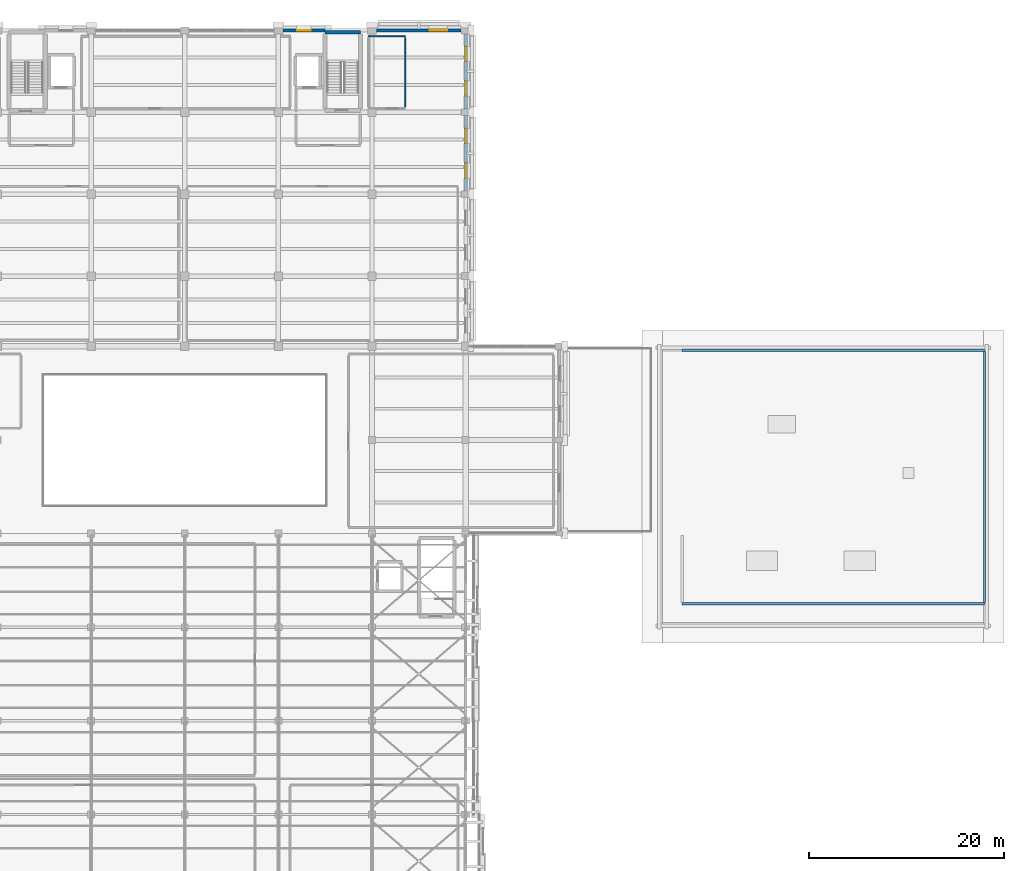
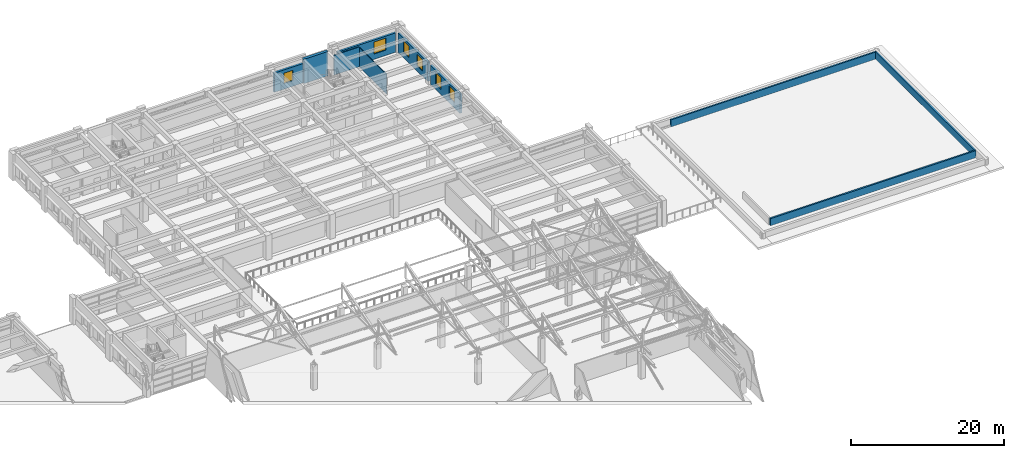
# One storey, part 61 of 71: 10 walls, 6 windows, 6 openings.
"""IFC4 building model written with IfcOpenShell, lengths in metres."""

from ifc_helpers import new_model, si_unit, direction, frame, frame_2d, origin, place, context, subcontext, project, spatial, rectangle, extrude, material, layer, layer_set, type_object, element, fill, save


model = new_model("IFC4")

# Units and contexts
model_context = context("Model", 3, precision=1e-05, world=origin(), true_north=direction((0.0, 1.0)))
body_context = subcontext(model_context, "Body", "Model", "MODEL_VIEW")
ifc_project = project(units=[si_unit("LENGTHUNIT", "METRE"), si_unit("AREAUNIT", "SQUARE_METRE"), si_unit("VOLUMEUNIT", "CUBIC_METRE"), si_unit("PLANEANGLEUNIT", "RADIAN"), si_unit("MASSUNIT", "GRAM", prefix="KILO")], contexts=[model_context])

# Site, building, storey
site_placement = place(None, origin())
site = spatial("IfcSite", under=ifc_project, at=site_placement, CompositionType="ELEMENT")
building_placement = place(site_placement, origin())
building = spatial("IfcBuilding", under=site, at=building_placement, Name="Bempovik Park Faculty of Sciences", CompositionType="ELEMENT")
storey_placement = place(building_placement, frame((0.0, 0.0, 14.10009765625)))
storey = spatial("IfcBuildingStorey", under=building, at=storey_placement, Name="L03", CompositionType="ELEMENT", Elevation=14.10009765625)

# Walls
ifc_material_1 = material(Name="Gypsum acoustic stud assembly")
ifc_layer_1 = layer(ifc_material_1, 0.1201171875)
ifc_layer_set_1 = layer_set([ifc_layer_1], Name="Gypsum acoustic stud assembly")
wall_type_1 = type_object("IfcWallType", Name="W-17 Wall 120mm", PredefinedType="PARTITIONING", material=ifc_layer_set_1)
wall_1_placement = place(storey_placement, frame((107.60009765625, 118.800048828125, 0.0), z_axis=(0.0, 0.0, 1.0), x_axis=(1.0, 0.0, 0.0)))
element("IfcWall", 1, at=wall_1_placement, inside=storey, type_object=wall_type_1, Name="L03 L03 Accessible WC Partition North", PredefinedType="PARTITIONING", context=body_context, shape_type="SweptSolid", body=[
    extrude(rectangle(XDim=3.7998046875, YDim=0.1201171875, at=frame_2d((1.89990234375, 0.0))), origin(), (0.0, 0.0, 1.0), 3.14990234375),
])
wall_2_placement = place(storey_placement, frame((111.39990234375, 111.56005859375, 0.0), z_axis=(0.0, 0.0, 1.0), x_axis=(0.0, 1.0, 0.0)))
element("IfcWall", 2, at=wall_2_placement, inside=storey, type_object=wall_type_1, Name="L03 L03 Accessible WC Partition East", PredefinedType="PARTITIONING", context=body_context, shape_type="SweptSolid", body=[
    extrude(rectangle(XDim=7.079833984375, YDim=0.1201171875, at=frame_2d((3.5400390625, 0.0))), origin(), (0.0, 0.0, 1.0), 3.14990234375),
])
ifc_material_2 = material(Name="Precast concrete C40/50", Category="concrete")
ifc_layer_2 = layer(ifc_material_2, 0.239990234375)
ifc_layer_set_2 = layer_set([ifc_layer_2], Name="Precast concrete C40/50")
wall_type_2 = type_object("IfcWallType", Name="W-36 Wall 240mm", PredefinedType="PARAPET", material=ifc_layer_set_2)
wall_3_placement = place(storey_placement, frame((139.800048828125, 60.60009765625, 0.0), z_axis=(0.0, 0.0, 1.0), x_axis=(1.0, 0.0, 0.0)))
element("IfcWall", 3, at=wall_3_placement, inside=storey, type_object=wall_type_2, Name="Roof Parapet PR-V3-S", PredefinedType="PARAPET", context=body_context, shape_type="SweptSolid", body=[
    extrude(rectangle(XDim=31.0, YDim=0.239990234375, at=frame_2d((15.5, 0.0))), origin(), (0.0, 0.0, 1.0), 1.14990234375),
])
wall_4_placement = place(storey_placement, frame((170.800048828125, 60.719970703125, 0.0), z_axis=(0.0, 0.0, 1.0), x_axis=(0.0, 1.0, 0.0)))
element("IfcWall", 4, at=wall_4_placement, inside=storey, type_object=wall_type_2, Name="Roof Parapet PR-V3-E", PredefinedType="PARAPET", context=body_context, shape_type="SweptSolid", body=[
    extrude(rectangle(XDim=25.760009765625, YDim=0.239990234375, at=frame_2d((12.8798828125, 0.0))), origin(), (0.0, 0.0, 1.0), 1.14990234375),
])
wall_5_placement = place(storey_placement, frame((170.800048828125, 86.60009765625, 0.0), z_axis=(0.0, 0.0, 1.0), x_axis=(-1.0, 0.0, 0.0)))
element("IfcWall", 5, at=wall_5_placement, inside=storey, type_object=wall_type_2, Name="Roof Parapet PR-V3-N", PredefinedType="PARAPET", context=body_context, shape_type="SweptSolid", body=[
    extrude(rectangle(XDim=31.0, YDim=0.239990234375, at=frame_2d((15.5, 0.0))), origin(), (0.0, 0.0, 1.0), 1.14990234375),
])
ifc_material_3 = material(Name="Concrete C40/50", Category="concrete")
ifc_layer_3 = layer(ifc_material_3, 0.39990234375)
ifc_layer_set_3 = layer_set([ifc_layer_3], Name="Concrete C40/50")
wall_type_3 = type_object("IfcWallType", Name="W-47 Wall 400mm", PredefinedType="SHEAR", material=ifc_layer_set_3)
wall_6_placement = place(storey_placement, frame((103.175048828125, 119.199951171875, 0.0), z_axis=(0.0, 0.0, 1.0), x_axis=(1.0, 0.0, 0.0)))
element("IfcWall", 6, at=wall_6_placement, inside=storey, type_object=wall_type_3, Name="ST-2 L03 Core Shear Wall North", PredefinedType="SHEAR", context=body_context, shape_type="SweptSolid", body=[
    extrude(rectangle(XDim=3.64990234375, YDim=0.39990234375, at=frame_2d((1.824951171875, 0.0))), origin(), (0.0, 0.0, 1.0), 3.89990234375),
])

# Wall, opening, window
ifc_layer_4 = layer(ifc_material_2, 0.320068359375)
ifc_layer_set_4 = layer_set([ifc_layer_4], Name="Precast concrete C40/50")
wall_type_4 = type_object("IfcWallType", Name="W-56 Wall 320mm", PredefinedType="SOLIDWALL", material=ifc_layer_set_4)
wall_7_placement = place(storey_placement, frame((98.85205078125, 119.39990234375, 0.0), z_axis=(0.0, 0.0, 1.0), x_axis=(1.0, 0.0, 0.0)))
wall_7 = element("IfcWall", 7, at=wall_7_placement, inside=storey, type_object=wall_type_4, Name="L03 Classical Precast Facade Wall EW-L03-8558", PredefinedType="SOLIDWALL", context=body_context, shape_type="SweptSolid", body=[
    extrude(rectangle(XDim=4.322021484375, YDim=0.320068359375, at=frame_2d((2.1611328125, 0.0))), origin(), (0.0, 0.0, 1.0), 3.079833984375),
])
opening_1_placement = place(wall_7_placement, frame((1.4609375, 0.0, 0.89990234375)))
opening_1 = element("IfcOpeningElement", 8, at=opening_1_placement, cuts=wall_7, Name="Opening WN-84", PredefinedType="OPENING", context=body_context, shape_type="SweptSolid", body=[
    extrude(rectangle(XDim=1.39990234375, YDim=1.64990234375, at=frame_2d((0.699951171875, 0.824951171875))), frame((0.0, 0.169921875, 0.0), z_axis=(0.0, -1.0, 0.0), x_axis=(1.0, 0.0, 0.0)), (0.0, 0.0, 1.0), 0.340087890625),
])
ifc_material_4 = material(Name="Tempered laminated low-E glass", Category="glass")
window_type_1 = type_object("IfcWindowType", Name="WN-84 Window 1400x1650", PartitioningType="SINGLE_PANEL", PredefinedType="WINDOW", material=ifc_material_4)
window_1_placement = place(opening_1_placement, origin())
window_1 = element("IfcWindow", 9, at=window_1_placement, inside=storey, type_object=window_type_1, Name="L03 Stairwell Classical Lancet Window EW-L03-8558", OverallHeight=1.64990234375, OverallWidth=1.39990234375, PartitioningType="SINGLE_PANEL", PredefinedType="WINDOW", context=body_context, shape_type="SweptSolid", body=[
    extrude(rectangle(XDim=1.39990234375, YDim=1.64990234375, at=frame_2d((0.699951171875, 0.824951171875))), frame((0.0, 0.030029296875, 0.0), z_axis=(0.0, -1.0, 0.0), x_axis=(1.0, 0.0, 0.0)), (0.0, 0.0, 1.0), 0.06005859375),
])
fill(opening_1, window_1)

wall_8_placement = place(storey_placement, frame((108.451904296875, 119.39990234375, 0.0), z_axis=(0.0, 0.0, 1.0), x_axis=(1.0, 0.0, 0.0)))
wall_8 = element("IfcWall", 10, at=wall_8_placement, inside=storey, type_object=wall_type_4, Name="L03 Classical Precast Facade Wall EW-L03-8565", PredefinedType="SOLIDWALL", context=body_context, shape_type="SweptSolid", body=[
    extrude(rectangle(XDim=8.696044921875, YDim=0.320068359375, at=frame_2d((4.34814453125, 0.0))), origin(), (0.0, 0.0, 1.0), 3.079833984375),
])
opening_2_placement = place(wall_8_placement, frame((5.447998046875, 0.0, 0.85009765625)))
opening_2 = element("IfcOpeningElement", 11, at=opening_2_placement, cuts=wall_8, Name="Opening WN-81", PredefinedType="OPENING", context=body_context, shape_type="SweptSolid", body=[
    extrude(rectangle(XDim=1.800048828125, YDim=1.89990234375, at=frame_2d((0.89990234375, 0.949951171875))), frame((0.0, 0.169921875, 0.0), z_axis=(0.0, -1.0, 0.0), x_axis=(1.0, 0.0, 0.0)), (0.0, 0.0, 1.0), 0.340087890625),
])
window_type_2 = type_object("IfcWindowType", Name="WN-81 Window 1800x1900", PartitioningType="SINGLE_PANEL", PredefinedType="WINDOW", material=ifc_material_4)
window_2_placement = place(opening_2_placement, origin())
window_2 = element("IfcWindow", 12, at=window_2_placement, inside=storey, type_object=window_type_2, Name="L03 Window EW-L03-8565-2", OverallHeight=1.89990234375, OverallWidth=1.800048828125, PartitioningType="SINGLE_PANEL", PredefinedType="WINDOW", context=body_context, shape_type="SweptSolid", body=[
    extrude(rectangle(XDim=1.800048828125, YDim=1.89990234375, at=frame_2d((0.89990234375, 0.949951171875))), frame((0.0, 0.030029296875, 0.0), z_axis=(0.0, -1.0, 0.0), x_axis=(1.0, 0.0, 0.0)), (0.0, 0.0, 1.0), 0.06005859375),
])
fill(opening_2, window_2)

# Wall, openings, windows
wall_9_placement = place(storey_placement, frame((117.60009765625, 102.951904296875, 0.0), z_axis=(0.0, 0.0, 1.0), x_axis=(0.0, 1.0, 0.0)))
wall_9 = element("IfcWall", 13, at=wall_9_placement, inside=storey, type_object=wall_type_4, Name="L03 Classical Precast Facade Wall EW-L03-8600", PredefinedType="SOLIDWALL", context=body_context, shape_type="SweptSolid", body=[
    extrude(rectangle(XDim=7.696044921875, YDim=0.320068359375, at=frame_2d((3.84814453125, 0.0))), origin(), (0.0, 0.0, 1.0), 3.079833984375),
])
opening_3_placement = place(wall_9_placement, frame((1.327880859375, 0.0, 0.85009765625)))
opening_3 = element("IfcOpeningElement", 14, at=opening_3_placement, cuts=wall_9, Name="Opening WN-65", PredefinedType="OPENING", context=body_context, shape_type="SweptSolid", body=[
    extrude(rectangle(XDim=1.5, YDim=1.85009765625, at=frame_2d((0.75, 0.925048828125))), frame((0.0, 0.169921875, 0.0), z_axis=(0.0, -1.0, 0.0), x_axis=(1.0, 0.0, 0.0)), (0.0, 0.0, 1.0), 0.340087890625),
])
opening_4_placement = place(wall_9_placement, frame((4.8681640625, 0.0, 0.85009765625)))
opening_4 = element("IfcOpeningElement", 15, at=opening_4_placement, cuts=wall_9, Name="Opening WN-65", PredefinedType="OPENING", context=body_context, shape_type="SweptSolid", body=[
    extrude(rectangle(XDim=1.5, YDim=1.85009765625, at=frame_2d((0.75, 0.925048828125))), frame((0.0, 0.169921875, 0.0), z_axis=(0.0, -1.0, 0.0), x_axis=(1.0, 0.0, 0.0)), (0.0, 0.0, 1.0), 0.340087890625),
])
window_type_3 = type_object("IfcWindowType", Name="WN-65 Window 1500x1850", PartitioningType="SINGLE_PANEL", PredefinedType="WINDOW", material=ifc_material_4)
window_3_placement = place(opening_3_placement, origin())
window_3 = element("IfcWindow", 16, at=window_3_placement, inside=storey, type_object=window_type_3, Name="L03 Window EW-L03-8600-1", OverallHeight=1.85009765625, OverallWidth=1.5, PartitioningType="SINGLE_PANEL", PredefinedType="WINDOW", context=body_context, shape_type="SweptSolid", body=[
    extrude(rectangle(XDim=1.5, YDim=1.85009765625, at=frame_2d((0.75, 0.925048828125))), frame((0.0, 0.030029296875, 0.0), z_axis=(0.0, -1.0, 0.0), x_axis=(1.0, 0.0, 0.0)), (0.0, 0.0, 1.0), 0.06005859375),
])
fill(opening_3, window_3)
window_4_placement = place(opening_4_placement, origin())
window_4 = element("IfcWindow", 17, at=window_4_placement, inside=storey, type_object=window_type_3, Name="L03 Window EW-L03-8600-2", OverallHeight=1.85009765625, OverallWidth=1.5, PartitioningType="SINGLE_PANEL", PredefinedType="WINDOW", context=body_context, shape_type="SweptSolid", body=[
    extrude(rectangle(XDim=1.5, YDim=1.85009765625, at=frame_2d((0.75, 0.925048828125))), frame((0.0, 0.030029296875, 0.0), z_axis=(0.0, -1.0, 0.0), x_axis=(1.0, 0.0, 0.0)), (0.0, 0.0, 1.0), 0.06005859375),
])
fill(opening_4, window_4)

wall_10_placement = place(storey_placement, frame((117.60009765625, 111.35205078125, 0.0), z_axis=(0.0, 0.0, 1.0), x_axis=(0.0, 1.0, 0.0)))
wall_10 = element("IfcWall", 18, at=wall_10_placement, inside=storey, type_object=wall_type_4, Name="L03 Classical Precast Facade Wall EW-L03-8612", PredefinedType="SOLIDWALL", context=body_context, shape_type="SweptSolid", body=[
    extrude(rectangle(XDim=7.696044921875, YDim=0.320068359375, at=frame_2d((3.84814453125, 0.0))), origin(), (0.0, 0.0, 1.0), 3.079833984375),
])
opening_5_placement = place(wall_10_placement, frame((1.327880859375, 0.0, 0.85009765625)))
opening_5 = element("IfcOpeningElement", 19, at=opening_5_placement, cuts=wall_10, Name="Opening WN-65", PredefinedType="OPENING", context=body_context, shape_type="SweptSolid", body=[
    extrude(rectangle(XDim=1.5, YDim=1.85009765625, at=frame_2d((0.75, 0.925048828125))), frame((0.0, 0.169921875, 0.0), z_axis=(0.0, -1.0, 0.0), x_axis=(1.0, 0.0, 0.0)), (0.0, 0.0, 1.0), 0.340087890625),
])
opening_6_placement = place(wall_10_placement, frame((4.8681640625, 0.0, 0.85009765625)))
opening_6 = element("IfcOpeningElement", 20, at=opening_6_placement, cuts=wall_10, Name="Opening WN-65", PredefinedType="OPENING", context=body_context, shape_type="SweptSolid", body=[
    extrude(rectangle(XDim=1.5, YDim=1.85009765625, at=frame_2d((0.75, 0.925048828125))), frame((0.0, 0.169921875, 0.0), z_axis=(0.0, -1.0, 0.0), x_axis=(1.0, 0.0, 0.0)), (0.0, 0.0, 1.0), 0.340087890625),
])
window_5_placement = place(opening_5_placement, origin())
window_5 = element("IfcWindow", 21, at=window_5_placement, inside=storey, type_object=window_type_3, Name="L03 Window EW-L03-8612-1", OverallHeight=1.85009765625, OverallWidth=1.5, PartitioningType="SINGLE_PANEL", PredefinedType="WINDOW", context=body_context, shape_type="SweptSolid", body=[
    extrude(rectangle(XDim=1.5, YDim=1.85009765625, at=frame_2d((0.75, 0.925048828125))), frame((0.0, 0.030029296875, 0.0), z_axis=(0.0, -1.0, 0.0), x_axis=(1.0, 0.0, 0.0)), (0.0, 0.0, 1.0), 0.06005859375),
])
fill(opening_5, window_5)
window_6_placement = place(opening_6_placement, origin())
window_6 = element("IfcWindow", 22, at=window_6_placement, inside=storey, type_object=window_type_3, Name="L03 Window EW-L03-8612-2", OverallHeight=1.85009765625, OverallWidth=1.5, PartitioningType="SINGLE_PANEL", PredefinedType="WINDOW", context=body_context, shape_type="SweptSolid", body=[
    extrude(rectangle(XDim=1.5, YDim=1.85009765625, at=frame_2d((0.75, 0.925048828125))), frame((0.0, 0.030029296875, 0.0), z_axis=(0.0, -1.0, 0.0), x_axis=(1.0, 0.0, 0.0)), (0.0, 0.0, 1.0), 0.06005859375),
])
fill(opening_6, window_6)

save(model, "model.ifc")
